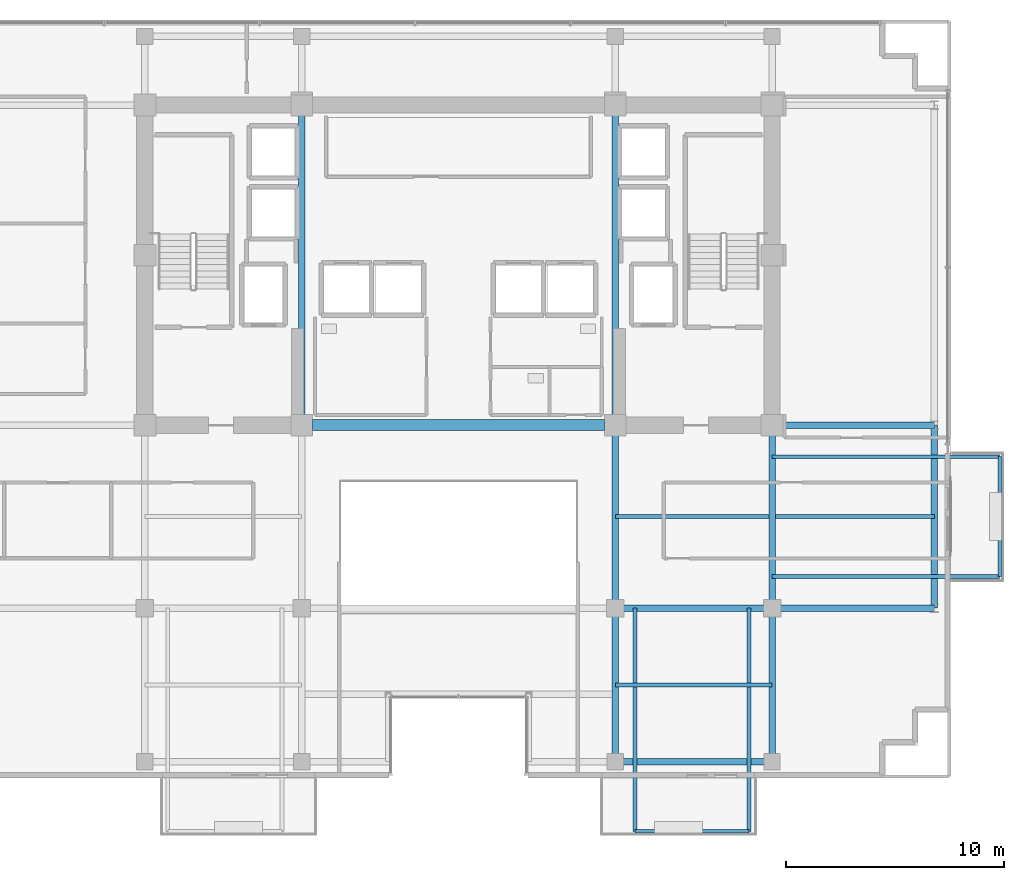
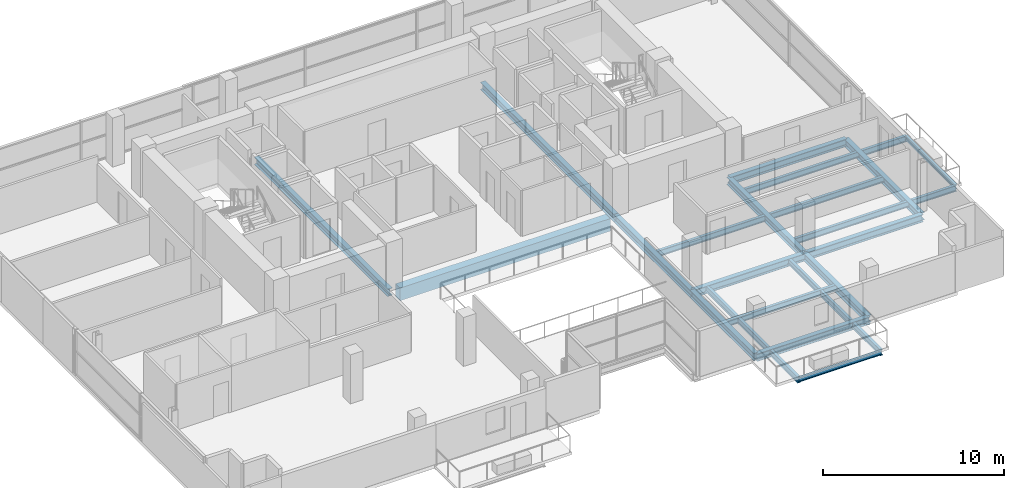
# One storey, part 11 of 25: 21 beams.
"""IFC4 building model written with IfcOpenShell, lengths in metres."""

from ifc_helpers import new_model, si_unit, direction, frame, origin, origin_2d, place, context, subcontext, project, spatial, rectangle, i_section, extrude, material, material_profile, profile_set, type_object, element, save


model = new_model("IFC4")

# Units and contexts
model_context = context("Model", 3, precision=1e-05, world=origin(), true_north=direction((0.0, 1.0)))
body_context = subcontext(model_context, "Body", "Model", "MODEL_VIEW")
ifc_project = project(units=[si_unit("LENGTHUNIT", "METRE"), si_unit("AREAUNIT", "SQUARE_METRE"), si_unit("VOLUMEUNIT", "CUBIC_METRE"), si_unit("PLANEANGLEUNIT", "RADIAN"), si_unit("MASSUNIT", "GRAM", prefix="KILO")], contexts=[model_context])

# Site, building, storey
site_placement = place(None, origin())
site = spatial("IfcSite", under=ifc_project, at=site_placement, CompositionType="ELEMENT")
building_placement = place(site_placement, origin())
building = spatial("IfcBuilding", under=site, at=building_placement, Name="Zarnakvel Exchange Tower", CompositionType="ELEMENT")
storey_placement = place(building_placement, frame((0.0, 0.0, 162.699951171875)))
storey = spatial("IfcBuildingStorey", under=building, at=storey_placement, Name="L45", CompositionType="ELEMENT", Elevation=162.699951171875)

# Beams
ifc_material_1 = material(Name="Steel S355", Category="steel")
ifc_material_profile_1 = material_profile(ifc_material_1, i_section(OverallWidth=0.179931640625, OverallDepth=0.39990234375, WebThickness=0.008544921875, FlangeThickness=0.013427734375, FilletRadius=0.02099609375, at=origin_2d()))
ifc_profile_set_1 = profile_set([ifc_material_profile_1], Name="Steel S355")
beam_type_1 = type_object("IfcBeamType", Name="B-06", PredefinedType="JOIST", material=ifc_profile_set_1)
beam_1_placement = place(storey_placement, frame((7.199951171875, -13.125, -0.425048828125), z_axis=(1.0, 0.0, 0.0), x_axis=(0.0, 1.0, 0.0)))
element("IfcBeam", 1, at=beam_1_placement, inside=storey, type_object=beam_type_1, Name="L45 Composite Floor Secondary Joist", PredefinedType="JOIST", context=body_context, shape_type="SweptSolid", body=[
    extrude(i_section(OverallWidth=0.179931640625, OverallDepth=0.39990234375, WebThickness=0.008544921875, FlangeThickness=0.013427734375, FilletRadius=0.02099609375, at=origin_2d()), origin(), (0.0, 0.0, 1.0), 7.199951171875),
])
beam_2_placement = place(storey_placement, frame((7.199951171875, -5.39990234375, -0.425048828125), z_axis=(1.0, 0.0, 0.0), x_axis=(0.0, 1.0, 0.0)))
element("IfcBeam", 2, at=beam_2_placement, inside=storey, type_object=beam_type_1, Name="L45 Composite Floor Secondary Joist", PredefinedType="JOIST", context=body_context, shape_type="SweptSolid", body=[
    extrude(i_section(OverallWidth=0.179931640625, OverallDepth=0.39990234375, WebThickness=0.008544921875, FlangeThickness=0.013427734375, FilletRadius=0.02099609375, at=origin_2d()), origin(), (0.0, 0.0, 1.0), 7.050048828125),
])
beam_3_placement = place(storey_placement, frame((14.550048828125, -5.39990234375, -0.425048828125), z_axis=(1.0, 0.0, 0.0), x_axis=(0.0, 1.0, 0.0)))
element("IfcBeam", 3, at=beam_3_placement, inside=storey, type_object=beam_type_1, Name="L45 Composite Floor Secondary Joist", PredefinedType="JOIST", context=body_context, shape_type="SweptSolid", body=[
    extrude(i_section(OverallWidth=0.179931640625, OverallDepth=0.39990234375, WebThickness=0.008544921875, FlangeThickness=0.013427734375, FilletRadius=0.02099609375, at=origin_2d()), origin(), (0.0, 0.0, 1.0), 7.300048828125),
])
for number, where, z_axis, x_axis, name in (
    (4, (8.10009765625, -9.60009765625, -0.425048828125), (0.0, -1.0, 0.0), (1.0, 0.0, 0.0), "L45 Continuous Back-Spanned Balcony Beam W"),
    (5, (13.35009765625, -9.60009765625, -0.425048828125), (0.0, -1.0, 0.0), (1.0, 0.0, 0.0), "L45 Continuous Back-Spanned Balcony Beam E"),
):
    element("IfcBeam", number, at=place(storey_placement, frame(where, z_axis=z_axis, x_axis=x_axis)), inside=storey, type_object=beam_type_1, Name=name, PredefinedType="JOIST", context=body_context, shape_type="SweptSolid", body=[
        extrude(i_section(OverallWidth=0.179931640625, OverallDepth=0.39990234375, WebThickness=0.008544921875, FlangeThickness=0.013427734375, FilletRadius=0.02099609375, at=origin_2d()), origin(), (0.0, 0.0, 1.0), 10.25),
    ])
for number, where, z_axis, x_axis, name in (
    (6, (14.39990234375, -8.14990234375, -0.425048828125), (1.0, 0.0, 0.0), (0.0, 1.0, 0.0), "L45 Continuous East Loggia Beam S"),
    (7, (14.39990234375, -2.64990234375, -0.425048828125), (1.0, 0.0, 0.0), (0.0, 1.0, 0.0), "L45 Continuous East Loggia Beam N"),
):
    element("IfcBeam", number, at=place(storey_placement, frame(where, z_axis=z_axis, x_axis=x_axis)), inside=storey, type_object=beam_type_1, Name=name, PredefinedType="JOIST", context=body_context, shape_type="SweptSolid", body=[
        extrude(i_section(OverallWidth=0.179931640625, OverallDepth=0.39990234375, WebThickness=0.008544921875, FlangeThickness=0.013427734375, FilletRadius=0.02099609375, at=origin_2d()), origin(), (0.0, 0.0, 1.0), 10.4501953125),
    ])
ifc_material_profile_2 = material_profile(ifc_material_1, i_section(OverallWidth=0.14990234375, OverallDepth=0.300048828125, WebThickness=0.007080078125, FlangeThickness=0.0107421875, FilletRadius=0.014892578125, at=origin_2d()))
ifc_profile_set_2 = profile_set([ifc_material_profile_2], Name="Steel S355")
beam_type_2 = type_object("IfcBeamType", Name="B-08", PredefinedType="JOIST", material=ifc_profile_set_2)
beam_4_placement = place(storey_placement, frame((8.10009765625, -19.85009765625, -0.375), z_axis=(1.0, 0.0, 0.0), x_axis=(0.0, 1.0, 0.0)))
element("IfcBeam", 8, at=beam_4_placement, inside=storey, type_object=beam_type_2, Name="L45 Balcony Edge Beam", PredefinedType="JOIST", context=body_context, shape_type="SweptSolid", body=[
    extrude(i_section(OverallWidth=0.14990234375, OverallDepth=0.300048828125, WebThickness=0.007080078125, FlangeThickness=0.0107421875, FilletRadius=0.014892578125, at=origin_2d()), origin(), (0.0, 0.0, 1.0), 5.25),
])
beam_5_placement = place(storey_placement, frame((24.85009765625, -8.14990234375, -0.375), z_axis=(0.0, 1.0, 0.0), x_axis=(-1.0, 0.0, 0.0)))
element("IfcBeam", 9, at=beam_5_placement, inside=storey, type_object=beam_type_2, Name="L45 East Loggia Edge Beam", PredefinedType="JOIST", context=body_context, shape_type="SweptSolid", body=[
    extrude(i_section(OverallWidth=0.14990234375, OverallDepth=0.300048828125, WebThickness=0.007080078125, FlangeThickness=0.0107421875, FilletRadius=0.014892578125, at=origin_2d()), origin(), (0.0, 0.0, 1.0), 5.5),
])
ifc_material_2 = material(Name="Concrete C60/75", Category="concrete")
ifc_material_profile_3 = material_profile(ifc_material_2, rectangle(XDim=0.5, YDim=0.85009765625, at=origin_2d()))
ifc_profile_set_3 = profile_set([ifc_material_profile_3], Name="Concrete C60/75")
beam_type_3 = type_object("IfcBeamType", Name="CB-02", PredefinedType="LINTEL", material=ifc_profile_set_3)
beam_6_placement = place(storey_placement, frame((-6.699951171875, -1.199951171875, -0.64990234375), z_axis=(1.0, 0.0, 0.0), x_axis=(0.0, 1.0, 0.0)))
element("IfcBeam", 10, at=beam_6_placement, inside=storey, type_object=beam_type_3, Name="L45 Rear Core South Coupling Beam (CB-02)", PredefinedType="LINTEL", context=body_context, shape_type="SweptSolid", body=[
    extrude(rectangle(XDim=0.5, YDim=0.85009765625, at=origin_2d()), origin(), (0.0, 0.0, 1.0), 13.39990234375),
])
ifc_material_profile_4 = material_profile(ifc_material_1, i_section(OverallWidth=0.300048828125, OverallDepth=0.5, WebThickness=0.014404296875, FlangeThickness=0.028076171875, FilletRadius=0.027099609375, at=origin_2d()))
ifc_profile_set_4 = profile_set([ifc_material_profile_4], Name="Steel S355")
beam_type_4 = type_object("IfcBeamType", Name="G-06", PredefinedType="BEAM", material=ifc_profile_set_4)
beam_7_placement = place(storey_placement, frame((7.199951171875, -9.60009765625, -0.474853515625), z_axis=(1.0, 0.0, 0.0), x_axis=(0.0, 1.0, 0.0)))
element("IfcBeam", 11, at=beam_7_placement, inside=storey, type_object=beam_type_4, Name="L45 Tower E-W Frame Beam", PredefinedType="BEAM", context=body_context, shape_type="SweptSolid", body=[
    extrude(i_section(OverallWidth=0.300048828125, OverallDepth=0.5, WebThickness=0.014404296875, FlangeThickness=0.028076171875, FilletRadius=0.027099609375, at=origin_2d()), origin(), (0.0, 0.0, 1.0), 7.199951171875),
])
for number, where, z_axis, x_axis, name in (
    (12, (14.39990234375, -9.60009765625, -0.474853515625), (1.0, 0.0, 0.0), (0.0, 1.0, 0.0), "L45 Tower E-W Frame Beam"),
    (13, (14.39990234375, -1.199951171875, -0.474853515625), (1.0, 0.0, 0.0), (0.0, 1.0, 0.0), "L45 Tower E-W Frame Beam"),
):
    element("IfcBeam", number, at=place(storey_placement, frame(where, z_axis=z_axis, x_axis=x_axis)), inside=storey, type_object=beam_type_4, Name=name, PredefinedType="BEAM", context=body_context, shape_type="SweptSolid", body=[
        extrude(i_section(OverallWidth=0.300048828125, OverallDepth=0.5, WebThickness=0.014404296875, FlangeThickness=0.028076171875, FilletRadius=0.027099609375, at=origin_2d()), origin(), (0.0, 0.0, 1.0), 7.4501953125),
    ])
beam_8_placement = place(storey_placement, frame((-7.199951171875, -1.199951171875, -0.474853515625), z_axis=(0.0, 1.0, 0.0), x_axis=(-1.0, 0.0, 0.0)))
element("IfcBeam", 14, at=beam_8_placement, inside=storey, type_object=beam_type_4, Name="L45 Tower N-S Frame Beam", PredefinedType="BEAM", context=body_context, shape_type="SweptSolid", body=[
    extrude(i_section(OverallWidth=0.300048828125, OverallDepth=0.5, WebThickness=0.014404296875, FlangeThickness=0.028076171875, FilletRadius=0.027099609375, at=origin_2d()), origin(), (0.0, 0.0, 1.0), 14.699951171875),
])
beam_9_placement = place(storey_placement, frame((7.199951171875, -16.64990234375, -0.474853515625), z_axis=(0.0, 1.0, 0.0), x_axis=(-1.0, 0.0, 0.0)))
element("IfcBeam", 15, at=beam_9_placement, inside=storey, type_object=beam_type_4, Name="L45 Tower N-S Frame Beam", PredefinedType="BEAM", context=body_context, shape_type="SweptSolid", body=[
    extrude(i_section(OverallWidth=0.300048828125, OverallDepth=0.5, WebThickness=0.014404296875, FlangeThickness=0.028076171875, FilletRadius=0.027099609375, at=origin_2d()), origin(), (0.0, 0.0, 1.0), 7.0498046875),
])
beam_10_placement = place(storey_placement, frame((7.199951171875, -9.60009765625, -0.474853515625), z_axis=(0.0, 1.0, 0.0), x_axis=(-1.0, 0.0, 0.0)))
element("IfcBeam", 16, at=beam_10_placement, inside=storey, type_object=beam_type_4, Name="L45 Tower N-S Frame Beam", PredefinedType="BEAM", context=body_context, shape_type="SweptSolid", body=[
    extrude(i_section(OverallWidth=0.300048828125, OverallDepth=0.5, WebThickness=0.014404296875, FlangeThickness=0.028076171875, FilletRadius=0.027099609375, at=origin_2d()), origin(), (0.0, 0.0, 1.0), 8.400146484375),
])
beam_11_placement = place(storey_placement, frame((7.199951171875, -1.199951171875, -0.474853515625), z_axis=(0.0, 1.0, 0.0), x_axis=(-1.0, 0.0, 0.0)))
element("IfcBeam", 17, at=beam_11_placement, inside=storey, type_object=beam_type_4, Name="L45 Tower N-S Frame Beam", PredefinedType="BEAM", context=body_context, shape_type="SweptSolid", body=[
    extrude(i_section(OverallWidth=0.300048828125, OverallDepth=0.5, WebThickness=0.014404296875, FlangeThickness=0.028076171875, FilletRadius=0.027099609375, at=origin_2d()), origin(), (0.0, 0.0, 1.0), 14.699951171875),
])
beam_12_placement = place(storey_placement, frame((14.39990234375, -16.64990234375, -0.474853515625), z_axis=(0.0, 1.0, 0.0), x_axis=(-1.0, 0.0, 0.0)))
element("IfcBeam", 18, at=beam_12_placement, inside=storey, type_object=beam_type_4, Name="L45 Tower N-S Frame Beam", PredefinedType="BEAM", context=body_context, shape_type="SweptSolid", body=[
    extrude(i_section(OverallWidth=0.300048828125, OverallDepth=0.5, WebThickness=0.014404296875, FlangeThickness=0.028076171875, FilletRadius=0.027099609375, at=origin_2d()), origin(), (0.0, 0.0, 1.0), 7.0498046875),
])
beam_13_placement = place(storey_placement, frame((14.39990234375, -9.60009765625, -0.474853515625), z_axis=(0.0, 1.0, 0.0), x_axis=(-1.0, 0.0, 0.0)))
element("IfcBeam", 19, at=beam_13_placement, inside=storey, type_object=beam_type_4, Name="L45 Tower N-S Frame Beam", PredefinedType="BEAM", context=body_context, shape_type="SweptSolid", body=[
    extrude(i_section(OverallWidth=0.300048828125, OverallDepth=0.5, WebThickness=0.014404296875, FlangeThickness=0.028076171875, FilletRadius=0.027099609375, at=origin_2d()), origin(), (0.0, 0.0, 1.0), 8.400146484375),
])
ifc_material_profile_5 = material_profile(ifc_material_1, i_section(OverallWidth=0.300048828125, OverallDepth=0.5, WebThickness=0.014404296875, FlangeThickness=0.028076171875, FilletRadius=0.027099609375, at=origin_2d()))
ifc_profile_set_5 = profile_set([ifc_material_profile_5], Name="Steel S355")
beam_type_5 = type_object("IfcBeamType", Name="SP-02", PredefinedType="SPANDREL", material=ifc_profile_set_5)
beam_14_placement = place(storey_placement, frame((7.199951171875, -16.64990234375, -0.474853515625), z_axis=(1.0, 0.0, 0.0), x_axis=(0.0, 1.0, 0.0)))
element("IfcBeam", 20, at=beam_14_placement, inside=storey, type_object=beam_type_5, Name="L45 Tower E-W Frame Beam", PredefinedType="SPANDREL", context=body_context, shape_type="SweptSolid", body=[
    extrude(i_section(OverallWidth=0.300048828125, OverallDepth=0.5, WebThickness=0.014404296875, FlangeThickness=0.028076171875, FilletRadius=0.027099609375, at=origin_2d()), origin(), (0.0, 0.0, 1.0), 7.199951171875),
])
beam_15_placement = place(storey_placement, frame((21.85009765625, -9.60009765625, -0.474853515625), z_axis=(0.0, 1.0, 0.0), x_axis=(-1.0, 0.0, 0.0)))
element("IfcBeam", 21, at=beam_15_placement, inside=storey, type_object=beam_type_5, Name="L45 Tower N-S Frame Beam", PredefinedType="SPANDREL", context=body_context, shape_type="SweptSolid", body=[
    extrude(i_section(OverallWidth=0.300048828125, OverallDepth=0.5, WebThickness=0.014404296875, FlangeThickness=0.028076171875, FilletRadius=0.027099609375, at=origin_2d()), origin(), (0.0, 0.0, 1.0), 8.400146484375),
])

save(model, "model.ifc")
